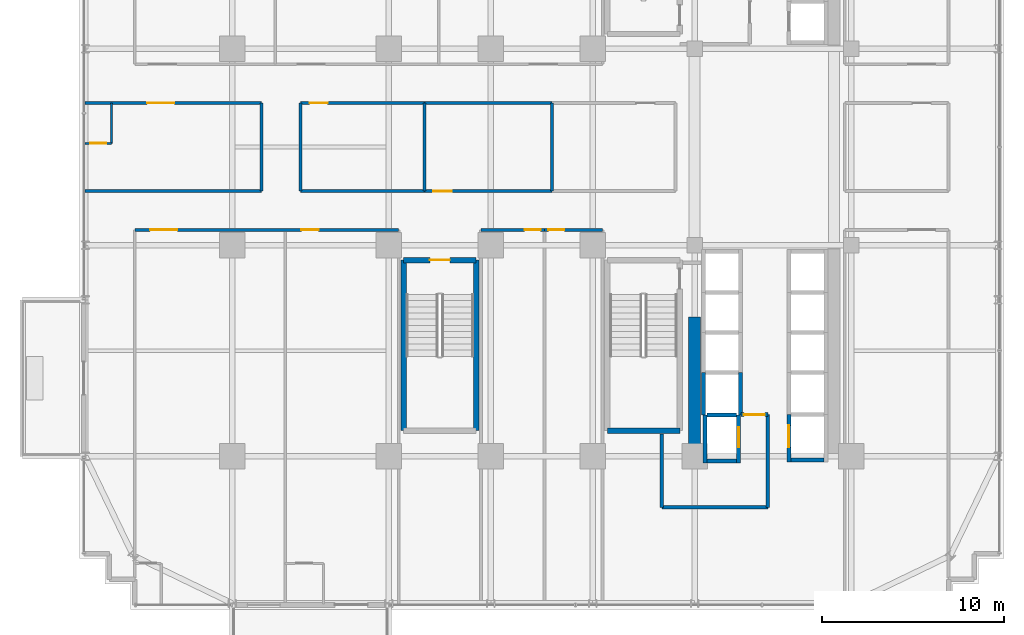
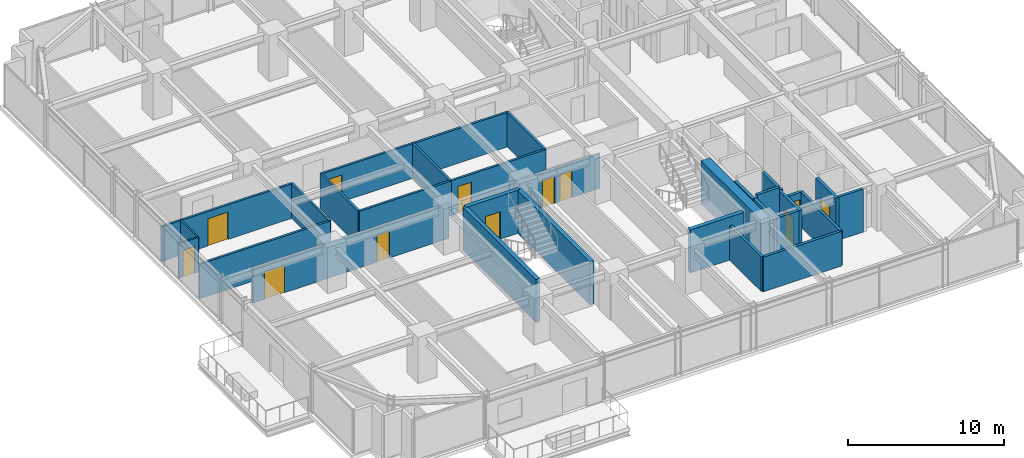
# One storey, part 31 of 37: 32 walls, 12 doors, 12 openings.
"""IFC4 building model written with IfcOpenShell, lengths in metres."""

from ifc_helpers import new_model, si_unit, direction, frame, frame_2d, origin, place, context, subcontext, project, spatial, rectangle, extrude, source, transform, mapped, material, layer, layer_set, type_object, element, fill, save


model = new_model("IFC4")

# Units and contexts
model_context = context("Model", 3, precision=1e-05, world=origin(), true_north=direction((0.0, 1.0)))
body_context = subcontext(model_context, "Body", "Model", "MODEL_VIEW")
ifc_project = project(units=[si_unit("LENGTHUNIT", "METRE"), si_unit("AREAUNIT", "SQUARE_METRE"), si_unit("VOLUMEUNIT", "CUBIC_METRE"), si_unit("PLANEANGLEUNIT", "RADIAN"), si_unit("MASSUNIT", "GRAM", prefix="KILO")], contexts=[model_context])

# Site, building, storey
site_placement = place(None, origin())
site = spatial("IfcSite", under=ifc_project, at=site_placement, CompositionType="ELEMENT")
building_placement = place(site_placement, origin())
building = spatial("IfcBuilding", under=site, at=building_placement, Name="Nahalor Promenade Grand Hotel", CompositionType="ELEMENT")
storey_placement = place(building_placement, frame((0.0, 0.0, 36.050048828125)))
storey = spatial("IfcBuildingStorey", under=building, at=storey_placement, Name="L07", CompositionType="ELEMENT", Elevation=36.050048828125)

# Walls
ifc_material_1 = material(Name="Concrete B-60 (C50/60)", Category="concrete")
ifc_layer_1 = layer(ifc_material_1, 0.64990234375)
ifc_layer_set_1 = layer_set([ifc_layer_1], Name="Concrete B-60 (C50/60)")
wall_type_1 = type_object("IfcWallType", Name="Wall-CoreShear-650", PredefinedType="SHEAR", material=ifc_layer_set_1)
shared_shape_1 = source(origin(), body_context, "Body", "SweptSolid", [
    extrude(rectangle(XDim=7.64990234375, YDim=0.64990234375, at=frame_2d((3.824951171875, 0.0))), origin(), (0.0, 0.0, 1.0), 3.369873046875),
])
wall_1_placement = place(storey_placement, frame((8.39990234375, -17.0, 0.0), z_axis=(0.0, 0.0, 1.0), x_axis=(0.0, 1.0, 0.0)))
element("IfcWall", 1, at=wall_1_placement, inside=storey, type_object=wall_type_1, Name="CWALL-L07-SW", PredefinedType="SHEAR", context=body_context, shape_type="MappedRepresentation", body=[
    mapped(shared_shape_1, transform((0.0, 0.0, 0.0), scale=1.0)),
])
ifc_material_2 = material(Name="Concrete B-50 (C40/50)", Category="concrete")
ifc_layer_2 = layer(ifc_material_2, 0.300048828125)
ifc_layer_set_2 = layer_set([ifc_layer_2], Name="Concrete B-50 (C40/50)")
wall_type_2 = type_object("IfcWallType", Name="Wall-ShaftShear-300", PredefinedType="SHEAR", material=ifc_layer_set_2)
shared_shape_2 = source(origin(), body_context, "Body", "SweptSolid", [
    extrude(rectangle(XDim=3.97998046875, YDim=0.300048828125, at=frame_2d((1.989990234375, 0.0))), origin(), (0.0, 0.0, 1.0), 3.369873046875),
])
wall_2_placement = place(storey_placement, frame((3.610107421875, -15.590087890625, 0.0), z_axis=(0.0, 0.0, 1.0), x_axis=(1.0, 0.0, 0.0)))
element("IfcWall", 2, at=wall_2_placement, inside=storey, type_object=wall_type_2, Name="L07 Exit Stair ST2 Shaft Wall S", PredefinedType="SHEAR", context=body_context, shape_type="MappedRepresentation", body=[
    mapped(shared_shape_2, transform((0.0, 0.0, 0.0), scale=1.0)),
])

# Wall, opening, door
wall_3_placement = place(storey_placement, frame((-7.590087890625, -6.2099609375, 0.0), z_axis=(0.0, 0.0, 1.0), x_axis=(1.0, 0.0, 0.0)))
wall_3 = element("IfcWall", 3, at=wall_3_placement, inside=storey, type_object=wall_type_2, Name="L07 Exit Stair ST3 Shaft Wall N", PredefinedType="SHEAR", context=body_context, shape_type="MappedRepresentation", body=[
    mapped(shared_shape_2, transform((0.0, 0.0, 0.0), scale=1.0)),
])
opening_1_placement = place(wall_3_placement, frame((1.43994140625, 0.0, 0.0)))
opening_1 = element("IfcOpeningElement", 4, at=opening_1_placement, cuts=wall_3, Name="Opening D-ST1", PredefinedType="OPENING", context=body_context, shape_type="SweptSolid", body=[
    extrude(rectangle(XDim=1.10009765625, YDim=2.14990234375, at=frame_2d((0.550048828125, 1.074951171875))), frame((0.0, 0.159912109375, 0.0), z_axis=(0.0, -1.0, 0.0), x_axis=(1.0, 0.0, 0.0)), (0.0, 0.0, 1.0), 0.320068359375),
])
ifc_material_3 = material(Name="Steel S355JR", Category="steel")
door_type_1 = type_object("IfcDoorType", Name="Door-StairFire-1100", OperationType="NOTDEFINED", PredefinedType="DOOR", material=ifc_material_3)
shared_shape_3 = source(origin(), body_context, "Body", "SweptSolid", [
    extrude(rectangle(XDim=1.10009765625, YDim=2.14990234375, at=frame_2d((0.550048828125, 1.074951171875))), frame((0.0, 0.02490234375, 0.0), z_axis=(0.0, -1.0, 0.0), x_axis=(1.0, 0.0, 0.0)), (0.0, 0.0, 1.0), 0.050048828125),
])
door_1_placement = place(opening_1_placement, frame((1.10009765625, 0.0, 0.0), z_axis=(0.0, 0.0, 1.0), x_axis=(-1.0, 0.0, 0.0)))
door_1 = element("IfcDoor", 5, at=door_1_placement, inside=storey, type_object=door_type_1, Name="DR-STAIR-ST3-L07", OperationType="SINGLE_SWING_RIGHT", OverallHeight=2.14990234375, OverallWidth=1.10009765625, PredefinedType="DOOR", context=body_context, shape_type="MappedRepresentation", body=[
    mapped(shared_shape_3, transform((0.0, 0.0, 0.0), scale=1.0)),
])
fill(opening_1, door_1)

# Walls
shared_shape_4 = source(origin(), body_context, "Body", "SweptSolid", [
    extrude(rectangle(XDim=9.380126953125, YDim=0.300048828125, at=frame_2d((4.68994140625, 0.0))), origin(), (0.0, 0.0, 1.0), 3.369873046875),
])
for number, where, z_axis, x_axis, name in (
    (6, (-7.590087890625, -15.590087890625, 0.0), (0.0, 0.0, 1.0), (0.0, 1.0, 0.0), "L07 Exit Stair ST3 Shaft Wall W"),
    (7, (-3.610107421875, -15.590087890625, 0.0), (0.0, 0.0, 1.0), (0.0, 1.0, 0.0), "L07 Exit Stair ST3 Shaft Wall E"),
):
    element("IfcWall", number, at=place(storey_placement, frame(where, z_axis=z_axis, x_axis=x_axis)), inside=storey, type_object=wall_type_2, Name=name, PredefinedType="SHEAR", context=body_context, shape_type="MappedRepresentation", body=[
        mapped(shared_shape_4, transform((0.0, 0.0, 0.0), scale=1.0)),
    ])
ifc_layer_3 = layer(ifc_material_2, 0.219970703125)
ifc_layer_set_3 = layer_set([ifc_layer_3], Name="Concrete B-50 (C40/50)")
wall_type_3 = type_object("IfcWallType", Name="Wall-LiftShaft-220", PredefinedType="SHEAR", material=ifc_layer_set_3)
shared_shape_5 = source(origin(), body_context, "Body", "SweptSolid", [
    extrude(rectangle(XDim=1.820068359375, YDim=0.219970703125, at=frame_2d((0.91015625, 0.0))), origin(), (0.0, 0.0, 1.0), 3.369873046875),
])
wall_4_placement = place(storey_placement, frame((13.68994140625, -17.199951171875, 0.0), z_axis=(0.0, 0.0, 1.0), x_axis=(1.0, 0.0, 0.0)))
element("IfcWall", 8, at=wall_4_placement, inside=storey, type_object=wall_type_3, Name="L07 Lift SV2 Hoistway Wall S", PredefinedType="SHEAR", context=body_context, shape_type="MappedRepresentation", body=[
    mapped(shared_shape_5, transform((0.0, 0.0, 0.0), scale=1.0)),
])
shared_shape_6 = source(origin(), body_context, "Body", "SweptSolid", [
    extrude(rectangle(XDim=2.3251953125, YDim=0.219970703125, at=frame_2d((1.16259765625, 0.0))), origin(), (0.0, 0.0, 1.0), 3.369873046875),
])
for number, where, z_axis, x_axis, name in (
    (9, (8.8798828125, -14.72509765625, 0.0), (0.0, 0.0, 1.0), (0.0, 1.0, 0.0), "L07 Lift PL12 Hoistway Wall W"),
    (10, (10.919921875, -14.72509765625, 0.0), (0.0, 0.0, 1.0), (0.0, 1.0, 0.0), "L07 Lift PL12 Hoistway Wall E"),
):
    element("IfcWall", number, at=place(storey_placement, frame(where, z_axis=z_axis, x_axis=x_axis)), inside=storey, type_object=wall_type_3, Name=name, PredefinedType="SHEAR", context=body_context, shape_type="MappedRepresentation", body=[
        mapped(shared_shape_6, transform((0.0, 0.0, 0.0), scale=1.0)),
    ])
shared_shape_7 = source(origin(), body_context, "Body", "SweptSolid", [
    extrude(rectangle(XDim=2.635009765625, YDim=0.219970703125, at=frame_2d((1.3173828125, 0.0))), origin(), (0.0, 0.0, 1.0), 3.369873046875),
])
wall_5_placement = place(storey_placement, frame((8.97998046875, -17.360107421875, 0.0), z_axis=(0.0, 0.0, 1.0), x_axis=(0.0, 1.0, 0.0)))
element("IfcWall", 11, at=wall_5_placement, inside=storey, type_object=wall_type_3, Name="L07 Lift FL2 Hoistway Wall W", PredefinedType="SHEAR", context=body_context, shape_type="MappedRepresentation", body=[
    mapped(shared_shape_7, transform((0.0, 0.0, 0.0), scale=1.0)),
])

# Wall, opening, door
wall_6_placement = place(storey_placement, frame((10.820068359375, -17.360107421875, 0.0), z_axis=(0.0, 0.0, 1.0), x_axis=(0.0, 1.0, 0.0)))
wall_6 = element("IfcWall", 12, at=wall_6_placement, inside=storey, type_object=wall_type_3, Name="L07 Lift FL2 Hoistway Wall E", PredefinedType="SHEAR", context=body_context, shape_type="MappedRepresentation", body=[
    mapped(shared_shape_7, transform((0.0, 0.0, 0.0), scale=1.0)),
])
opening_2_placement = place(wall_6_placement, frame((0.860107421875, 0.0, 0.0)))
opening_2 = element("IfcOpeningElement", 13, at=opening_2_placement, cuts=wall_6, Name="Opening LD-02", PredefinedType="OPENING", context=body_context, shape_type="SweptSolid", body=[
    extrude(rectangle(XDim=1.10009765625, YDim=2.199951171875, at=frame_2d((0.550048828125, 1.10009765625))), frame((0.0, 0.119873046875, 0.0), z_axis=(0.0, -1.0, 0.0), x_axis=(1.0, 0.0, 0.0)), (0.0, 0.0, 1.0), 0.239990234375),
])
door_type_2 = type_object("IfcDoorType", Name="Door-LiftFF-1100", OperationType="DOUBLE_DOOR_SLIDING", PredefinedType="DOOR", material=ifc_material_3)
shared_shape_8 = source(origin(), body_context, "Body", "SweptSolid", [
    extrude(rectangle(XDim=1.10009765625, YDim=2.199951171875, at=frame_2d((0.550048828125, 1.10009765625))), frame((0.0, 0.02490234375, 0.0), z_axis=(0.0, -1.0, 0.0), x_axis=(1.0, 0.0, 0.0)), (0.0, 0.0, 1.0), 0.050048828125),
])
door_2_placement = place(opening_2_placement, frame((1.10009765625, 0.0, 0.0), z_axis=(0.0, 0.0, 1.0), x_axis=(-1.0, 0.0, 0.0)))
door_2 = element("IfcDoor", 14, at=door_2_placement, inside=storey, type_object=door_type_2, Name="DR-LIFT-FL2-L07", OperationType="DOUBLE_DOOR_SLIDING", OverallHeight=2.199951171875, OverallWidth=1.10009765625, PredefinedType="DOOR", context=body_context, shape_type="MappedRepresentation", body=[
    mapped(shared_shape_8, transform((0.0, 0.0, 0.0), scale=1.0)),
])
fill(opening_2, door_2)

# Walls
shared_shape_9 = source(origin(), body_context, "Body", "SweptSolid", [
    extrude(rectangle(XDim=1.619873046875, YDim=0.219970703125, at=frame_2d((0.81005859375, 0.0))), origin(), (0.0, 0.0, 1.0), 3.369873046875),
])
wall_7_placement = place(storey_placement, frame((9.090087890625, -17.25, 0.0), z_axis=(0.0, 0.0, 1.0), x_axis=(1.0, 0.0, 0.0)))
element("IfcWall", 15, at=wall_7_placement, inside=storey, type_object=wall_type_3, Name="L07 Lift FL2 Hoistway Wall S", PredefinedType="SHEAR", context=body_context, shape_type="MappedRepresentation", body=[
    mapped(shared_shape_9, transform((0.0, 0.0, 0.0), scale=1.0)),
])
shared_shape_10 = source(origin(), body_context, "Body", "SweptSolid", [
    extrude(rectangle(XDim=1.619873046875, YDim=0.219970703125, at=frame_2d((0.81005859375, 0.0))), origin(), (0.0, 0.0, 1.0), 3.64990234375),
])
wall_8_placement = place(storey_placement, frame((9.090087890625, -14.72509765625, 0.0), z_axis=(0.0, 0.0, 1.0), x_axis=(1.0, 0.0, 0.0)))
element("IfcWall", 16, at=wall_8_placement, inside=storey, type_object=wall_type_3, Name="L07 Lift FL2 Hoistway Wall N", PredefinedType="SHEAR", context=body_context, shape_type="MappedRepresentation", body=[
    mapped(shared_shape_10, transform((0.0, 0.0, 0.0), scale=1.0)),
])

# Wall, opening, door
shared_shape_11 = source(origin(), body_context, "Body", "SweptSolid", [
    extrude(rectangle(XDim=2.610107421875, YDim=0.219970703125, at=frame_2d((1.30517578125, 0.0))), origin(), (0.0, 0.0, 1.0), 3.369873046875),
])
wall_9_placement = place(storey_placement, frame((13.580078125, -17.31005859375, 0.0), z_axis=(0.0, 0.0, 1.0), x_axis=(0.0, 1.0, 0.0)))
wall_9 = element("IfcWall", 17, at=wall_9_placement, inside=storey, type_object=wall_type_3, Name="L07 Lift SV2 Hoistway Wall W", PredefinedType="SHEAR", context=body_context, shape_type="MappedRepresentation", body=[
    mapped(shared_shape_11, transform((0.0, 0.0, 0.0), scale=1.0)),
])
opening_3_placement = place(wall_9_placement, frame((0.81005859375, 0.0, 0.0)))
opening_3 = element("IfcOpeningElement", 18, at=opening_3_placement, cuts=wall_9, Name="Opening LD-03", PredefinedType="OPENING", context=body_context, shape_type="SweptSolid", body=[
    extrude(rectangle(XDim=1.199951171875, YDim=2.199951171875, at=frame_2d((0.60009765625, 1.10009765625))), frame((0.0, 0.119873046875, 0.0), z_axis=(0.0, -1.0, 0.0), x_axis=(1.0, 0.0, 0.0)), (0.0, 0.0, 1.0), 0.239990234375),
])
door_type_3 = type_object("IfcDoorType", Name="Door-LiftService-1200", OperationType="DOUBLE_DOOR_SLIDING", PredefinedType="DOOR", material=ifc_material_3)
shared_shape_12 = source(origin(), body_context, "Body", "SweptSolid", [
    extrude(rectangle(XDim=1.199951171875, YDim=2.199951171875, at=frame_2d((0.60009765625, 1.10009765625))), frame((0.0, 0.02490234375, 0.0), z_axis=(0.0, -1.0, 0.0), x_axis=(1.0, 0.0, 0.0)), (0.0, 0.0, 1.0), 0.050048828125),
])
door_3_placement = place(opening_3_placement, origin())
door_3 = element("IfcDoor", 19, at=door_3_placement, inside=storey, type_object=door_type_3, Name="DR-LIFT-SV2-L07", OperationType="DOUBLE_DOOR_SLIDING", OverallHeight=2.199951171875, OverallWidth=1.199951171875, PredefinedType="DOOR", context=body_context, shape_type="MappedRepresentation", body=[
    mapped(shared_shape_12, transform((0.0, 0.0, 0.0), scale=1.0)),
])
fill(opening_3, door_3)

# Walls
ifc_material_4 = material(Name="Concrete B-40 (C32/40)", Category="concrete")
ifc_layer_4 = layer(ifc_material_4, 0.199951171875)
ifc_layer_set_4 = layer_set([ifc_layer_4], Name="Concrete B-40 (C32/40)")
wall_type_4 = type_object("IfcWallType", Name="Wall-PartFire-200", PredefinedType="PARTITIONING", material=ifc_layer_set_4)
shared_shape_13 = source(origin(), body_context, "Body", "SweptSolid", [
    extrude(rectangle(XDim=5.81982421875, YDim=0.199951171875, at=frame_2d((2.909912109375, 0.0))), origin(), (0.0, 0.0, 1.0), 2.7099609375),
])
wall_10_placement = place(storey_placement, frame((6.60009765625, -19.800048828125, 0.0), z_axis=(0.0, 0.0, 1.0), x_axis=(1.0, 0.0, 0.0)))
element("IfcWall", 20, at=wall_10_placement, inside=storey, type_object=wall_type_4, Name="W-L07-FF2-S1", PredefinedType="PARTITIONING", context=body_context, shape_type="MappedRepresentation", body=[
    mapped(shared_shape_13, transform((0.0, 0.0, 0.0), scale=1.0)),
])
shared_shape_14 = source(origin(), body_context, "Body", "SweptSolid", [
    extrude(rectangle(XDim=4.030029296875, YDim=0.199951171875, at=frame_2d((2.01513671875, 0.0))), origin(), (0.0, 0.0, 1.0), 2.7099609375),
])
wall_11_placement = place(storey_placement, frame((6.60009765625, -19.800048828125, 0.0), z_axis=(0.0, 0.0, 1.0), x_axis=(0.0, 1.0, 0.0)))
element("IfcWall", 21, at=wall_11_placement, inside=storey, type_object=wall_type_4, Name="W-L07-FF2-W1", PredefinedType="PARTITIONING", context=body_context, shape_type="MappedRepresentation", body=[
    mapped(shared_shape_14, transform((0.0, 0.0, 0.0), scale=1.0)),
])
shared_shape_15 = source(origin(), body_context, "Body", "SweptSolid", [
    extrude(rectangle(XDim=5.10009765625, YDim=0.199951171875, at=frame_2d((2.550048828125, 0.0))), origin(), (0.0, 0.0, 1.0), 2.7099609375),
])
wall_12_placement = place(storey_placement, frame((12.419921875, -19.800048828125, 0.0), z_axis=(0.0, 0.0, 1.0), x_axis=(0.0, 1.0, 0.0)))
element("IfcWall", 22, at=wall_12_placement, inside=storey, type_object=wall_type_4, Name="W-L07-FF2-E", PredefinedType="PARTITIONING", context=body_context, shape_type="MappedRepresentation", body=[
    mapped(shared_shape_15, transform((0.0, 0.0, 0.0), scale=1.0)),
])

# Wall, opening, door
shared_shape_16 = source(origin(), body_context, "Body", "SweptSolid", [
    extrude(rectangle(XDim=1.4599609375, YDim=0.199951171875, at=frame_2d((0.72998046875, 0.0))), origin(), (0.0, 0.0, 1.0), 2.7099609375),
])
wall_13_placement = place(storey_placement, frame((10.9599609375, -14.699951171875, 0.0), z_axis=(0.0, 0.0, 1.0), x_axis=(1.0, 0.0, 0.0)))
wall_13 = element("IfcWall", 23, at=wall_13_placement, inside=storey, type_object=wall_type_4, Name="W-L07-FF2-N1", PredefinedType="PARTITIONING", context=body_context, shape_type="MappedRepresentation", body=[
    mapped(shared_shape_16, transform((0.0, 0.0, 0.0), scale=1.0)),
])
opening_4_placement = place(wall_13_placement, frame((0.14501953125, 0.0, 0.0)))
opening_4 = element("IfcOpeningElement", 24, at=opening_4_placement, cuts=wall_13, Name="Opening D-FF1", PredefinedType="OPENING", context=body_context, shape_type="SweptSolid", body=[
    extrude(rectangle(XDim=1.14990234375, YDim=2.14990234375, at=frame_2d((0.574951171875, 1.074951171875))), frame((0.0, 0.10986328125, 0.0), z_axis=(0.0, -1.0, 0.0), x_axis=(1.0, 0.0, 0.0)), (0.0, 0.0, 1.0), 0.219970703125),
])
door_type_4 = type_object("IfcDoorType", Name="Door-FFLobby-1150", OperationType="NOTDEFINED", PredefinedType="DOOR", material=ifc_material_3)
shared_shape_17 = source(origin(), body_context, "Body", "SweptSolid", [
    extrude(rectangle(XDim=1.14990234375, YDim=2.14990234375, at=frame_2d((0.574951171875, 1.074951171875))), frame((0.0, 0.02490234375, 0.0), z_axis=(0.0, -1.0, 0.0), x_axis=(1.0, 0.0, 0.0)), (0.0, 0.0, 1.0), 0.050048828125),
])
door_4_placement = place(opening_4_placement, origin())
door_4 = element("IfcDoor", 25, at=door_4_placement, inside=storey, type_object=door_type_4, Name="DR-L07-FFL2", OperationType="SINGLE_SWING_LEFT", OverallHeight=2.14990234375, OverallWidth=1.14990234375, PredefinedType="DOOR", context=body_context, shape_type="MappedRepresentation", body=[
    mapped(shared_shape_17, transform((0.0, 0.0, 0.0), scale=1.0)),
])
fill(opening_4, door_4)

ifc_material_5 = material(Name="Acoustic Mineral Gypsum", Category="gypsum")
ifc_layer_5 = layer(ifc_material_5, 0.1201171875)
ifc_layer_set_5 = layer_set([ifc_layer_5], Name="Acoustic Mineral Gypsum")
wall_type_5 = type_object("IfcWallType", Name="Wall-PartBath-120", PredefinedType="PARTITIONING", material=ifc_layer_set_5)
shared_shape_18 = source(origin(), body_context, "Body", "SweptSolid", [
    extrude(rectangle(XDim=1.4501953125, YDim=0.1201171875, at=frame_2d((0.72509765625, 0.0))), origin(), (0.0, 0.0, 1.0), 2.7099609375),
])
wall_14_placement = place(storey_placement, frame((-25.10009765625, 0.199951171875, 0.0), z_axis=(0.0, 0.0, 1.0), x_axis=(1.0, 0.0, 0.0)))
wall_14 = element("IfcWall", 26, at=wall_14_placement, inside=storey, type_object=wall_type_5, Name="W-L07-W1-BH", PredefinedType="PARTITIONING", context=body_context, shape_type="MappedRepresentation", body=[
    mapped(shared_shape_18, transform((0.0, 0.0, 0.0), scale=1.0)),
])
opening_5_placement = place(wall_14_placement, frame((0.284912109375, 0.0, 0.0)))
opening_5 = element("IfcOpeningElement", 27, at=opening_5_placement, cuts=wall_14, Name="Opening D-03", PredefinedType="OPENING", context=body_context, shape_type="SweptSolid", body=[
    extrude(rectangle(XDim=0.8798828125, YDim=2.10009765625, at=frame_2d((0.43994140625, 1.050048828125))), frame((0.0, 0.070068359375, 0.0), z_axis=(0.0, -1.0, 0.0), x_axis=(1.0, 0.0, 0.0)), (0.0, 0.0, 1.0), 0.14013671875),
])
ifc_material_6 = material(Name="Fire-Rated Timber Composite", Category="wood")
door_type_5 = type_object("IfcDoorType", Name="Door-BathSwing-880", OperationType="NOTDEFINED", PredefinedType="DOOR", material=ifc_material_6)
shared_shape_19 = source(origin(), body_context, "Body", "SweptSolid", [
    extrude(rectangle(XDim=0.8798828125, YDim=2.10009765625, at=frame_2d((0.43994140625, 1.050048828125))), frame((0.0, 0.02490234375, 0.0), z_axis=(0.0, -1.0, 0.0), x_axis=(1.0, 0.0, 0.0)), (0.0, 0.0, 1.0), 0.050048828125),
])
door_5_placement = place(opening_5_placement, origin())
door_5 = element("IfcDoor", 28, at=door_5_placement, inside=storey, type_object=door_type_5, Name="DR-L07-W1-BATH", OperationType="SINGLE_SWING_LEFT", OverallHeight=2.10009765625, OverallWidth=0.8798828125, PredefinedType="DOOR", context=body_context, shape_type="MappedRepresentation", body=[
    mapped(shared_shape_19, transform((0.0, 0.0, 0.0), scale=1.0)),
])
fill(opening_5, door_5)

# Wall, openings, doors
ifc_layer_6 = layer(ifc_material_5, 0.159912109375)
ifc_layer_set_6 = layer_set([ifc_layer_6], Name="Acoustic Mineral Gypsum")
wall_type_6 = type_object("IfcWallType", Name="Wall-PartCorridor-160", PredefinedType="PARTITIONING", material=ifc_layer_set_6)
shared_shape_20 = source(origin(), body_context, "Body", "SweptSolid", [
    extrude(rectangle(XDim=14.5, YDim=0.159912109375, at=frame_2d((7.25, 0.0))), origin(), (0.0, 0.0, 1.0), 2.7099609375),
])
wall_15_placement = place(storey_placement, frame((-22.360107421875, -4.550048828125, 0.0), z_axis=(0.0, 0.0, 1.0), x_axis=(1.0, 0.0, 0.0)))
wall_15 = element("IfcWall", 29, at=wall_15_placement, inside=storey, type_object=wall_type_6, Name="W-L07-CORR-S", PredefinedType="PARTITIONING", context=body_context, shape_type="MappedRepresentation", body=[
    mapped(shared_shape_20, transform((0.0, 0.0, 0.0), scale=1.0)),
])
opening_6_placement = place(wall_15_placement, frame((0.8369140625, 0.0, 0.0)))
opening_6 = element("IfcOpeningElement", 30, at=opening_6_placement, cuts=wall_15, Name="Opening D-02", PredefinedType="OPENING", context=body_context, shape_type="SweptSolid", body=[
    extrude(rectangle(XDim=1.5, YDim=2.14990234375, at=frame_2d((0.75, 1.074951171875))), frame((0.0, 0.08984375, 0.0), z_axis=(0.0, -1.0, 0.0), x_axis=(1.0, 0.0, 0.0)), (0.0, 0.0, 1.0), 0.179931640625),
])
opening_7_placement = place(wall_15_placement, frame((9.152099609375, 0.0, 0.0)))
opening_7 = element("IfcOpeningElement", 31, at=opening_7_placement, cuts=wall_15, Name="Opening D-01", PredefinedType="OPENING", context=body_context, shape_type="SweptSolid", body=[
    extrude(rectangle(XDim=0.949951171875, YDim=2.10009765625, at=frame_2d((0.47509765625, 1.050048828125))), frame((0.0, 0.08984375, 0.0), z_axis=(0.0, -1.0, 0.0), x_axis=(1.0, 0.0, 0.0)), (0.0, 0.0, 1.0), 0.179931640625),
])
door_type_6 = type_object("IfcDoorType", Name="Door-SuiteDouble-1500", OperationType="DOUBLE_DOOR_SINGLE_SWING", PredefinedType="DOOR", material=ifc_material_6)
shared_shape_21 = source(origin(), body_context, "Body", "SweptSolid", [
    extrude(rectangle(XDim=1.5, YDim=2.14990234375, at=frame_2d((0.75, 1.074951171875))), frame((0.0, 0.02490234375, 0.0), z_axis=(0.0, -1.0, 0.0), x_axis=(1.0, 0.0, 0.0)), (0.0, 0.0, 1.0), 0.050048828125),
])
door_6_placement = place(opening_6_placement, frame((1.5, 0.0, 0.0), z_axis=(0.0, 0.0, 1.0), x_axis=(-1.0, 0.0, 0.0)))
door_6 = element("IfcDoor", 32, at=door_6_placement, inside=storey, type_object=door_type_6, Name="DR-L07-S1-ENT", OperationType="DOUBLE_DOOR_SINGLE_SWING", OverallHeight=2.14990234375, OverallWidth=1.5, PredefinedType="DOOR", context=body_context, shape_type="MappedRepresentation", body=[
    mapped(shared_shape_21, transform((0.0, 0.0, 0.0), scale=1.0)),
])
fill(opening_6, door_6)
door_type_7 = type_object("IfcDoorType", Name="Door-GuestEntry-950", OperationType="NOTDEFINED", PredefinedType="DOOR", material=ifc_material_6)
shared_shape_22 = source(origin(), body_context, "Body", "SweptSolid", [
    extrude(rectangle(XDim=0.949951171875, YDim=2.10009765625, at=frame_2d((0.47509765625, 1.050048828125))), frame((0.0, 0.02490234375, 0.0), z_axis=(0.0, -1.0, 0.0), x_axis=(1.0, 0.0, 0.0)), (0.0, 0.0, 1.0), 0.050048828125),
])
door_7_placement = place(opening_7_placement, frame((0.949951171875, 0.0, 0.0), z_axis=(0.0, 0.0, 1.0), x_axis=(-1.0, 0.0, 0.0)))
door_7 = element("IfcDoor", 33, at=door_7_placement, inside=storey, type_object=door_type_7, Name="DR-L07-S2-ENT", OperationType="SINGLE_SWING_RIGHT", OverallHeight=2.10009765625, OverallWidth=0.949951171875, PredefinedType="DOOR", context=body_context, shape_type="MappedRepresentation", body=[
    mapped(shared_shape_22, transform((0.0, 0.0, 0.0), scale=1.0)),
])
fill(opening_7, door_7)

# Wall, opening, door
shared_shape_23 = source(origin(), body_context, "Body", "SweptSolid", [
    extrude(rectangle(XDim=3.489990234375, YDim=0.159912109375, at=frame_2d((1.7451171875, 0.0))), origin(), (0.0, 0.0, 1.0), 2.7099609375),
])
wall_16_placement = place(storey_placement, frame((-3.340087890625, -4.550048828125, 0.0), z_axis=(0.0, 0.0, 1.0), x_axis=(1.0, 0.0, 0.0)))
wall_16 = element("IfcWall", 34, at=wall_16_placement, inside=storey, type_object=wall_type_6, Name="W-L07-SCB1-N", PredefinedType="PARTITIONING", context=body_context, shape_type="MappedRepresentation", body=[
    mapped(shared_shape_23, transform((0.0, 0.0, 0.0), scale=1.0)),
])
opening_8_placement = place(wall_16_placement, frame((2.39990234375, 0.0, 0.0)))
opening_8 = element("IfcOpeningElement", 35, at=opening_8_placement, cuts=wall_16, Name="Opening D-03", PredefinedType="OPENING", context=body_context, shape_type="SweptSolid", body=[
    extrude(rectangle(XDim=0.8798828125, YDim=2.10009765625, at=frame_2d((0.43994140625, 1.050048828125))), frame((0.0, 0.08984375, 0.0), z_axis=(0.0, -1.0, 0.0), x_axis=(1.0, 0.0, 0.0)), (0.0, 0.0, 1.0), 0.179931640625),
])
door_8_placement = place(opening_8_placement, frame((0.8798828125, 0.0, 0.0), z_axis=(0.0, 0.0, 1.0), x_axis=(-1.0, 0.0, 0.0)))
door_8 = element("IfcDoor", 36, at=door_8_placement, inside=storey, type_object=door_type_5, Name="DR-L07-SCB1", OperationType="SINGLE_SWING_LEFT", OverallHeight=2.10009765625, OverallWidth=0.8798828125, PredefinedType="DOOR", context=body_context, shape_type="MappedRepresentation", body=[
    mapped(shared_shape_19, transform((0.0, 0.0, 0.0), scale=1.0)),
])
fill(opening_8, door_8)

shared_shape_24 = source(origin(), body_context, "Body", "SweptSolid", [
    extrude(rectangle(XDim=3.190185546875, YDim=0.159912109375, at=frame_2d((1.59521484375, 0.0))), origin(), (0.0, 0.0, 1.0), 2.7099609375),
])
wall_17_placement = place(storey_placement, frame((0.14990234375, -4.550048828125, 0.0), z_axis=(0.0, 0.0, 1.0), x_axis=(1.0, 0.0, 0.0)))
wall_17 = element("IfcWall", 37, at=wall_17_placement, inside=storey, type_object=wall_type_6, Name="W-L07-SCB2-N", PredefinedType="PARTITIONING", context=body_context, shape_type="MappedRepresentation", body=[
    mapped(shared_shape_24, transform((0.0, 0.0, 0.0), scale=1.0)),
])
opening_9_placement = place(wall_17_placement, frame((0.2099609375, 0.0, 0.0)))
opening_9 = element("IfcOpeningElement", 38, at=opening_9_placement, cuts=wall_17, Name="Opening D-03", PredefinedType="OPENING", context=body_context, shape_type="SweptSolid", body=[
    extrude(rectangle(XDim=0.8798828125, YDim=2.10009765625, at=frame_2d((0.43994140625, 1.050048828125))), frame((0.0, 0.08984375, 0.0), z_axis=(0.0, -1.0, 0.0), x_axis=(1.0, 0.0, 0.0)), (0.0, 0.0, 1.0), 0.179931640625),
])
door_9_placement = place(opening_9_placement, frame((0.8798828125, 0.0, 0.0), z_axis=(0.0, 0.0, 1.0), x_axis=(-1.0, 0.0, 0.0)))
door_9 = element("IfcDoor", 39, at=door_9_placement, inside=storey, type_object=door_type_5, Name="DR-L07-SCB2", OperationType="SINGLE_SWING_RIGHT", OverallHeight=2.10009765625, OverallWidth=0.8798828125, PredefinedType="DOOR", context=body_context, shape_type="MappedRepresentation", body=[
    mapped(shared_shape_19, transform((0.0, 0.0, 0.0), scale=1.0)),
])
fill(opening_9, door_9)

shared_shape_25 = source(origin(), body_context, "Body", "SweptSolid", [
    extrude(rectangle(XDim=9.7001953125, YDim=0.159912109375, at=frame_2d((4.85009765625, 0.0))), origin(), (0.0, 0.0, 1.0), 2.7099609375),
])
wall_18_placement = place(storey_placement, frame((-25.10009765625, 2.419921875, 0.0), z_axis=(0.0, 0.0, 1.0), x_axis=(1.0, 0.0, 0.0)))
wall_18 = element("IfcWall", 40, at=wall_18_placement, inside=storey, type_object=wall_type_6, Name="W-L07-WEST-N", PredefinedType="PARTITIONING", context=body_context, shape_type="MappedRepresentation", body=[
    mapped(shared_shape_25, transform((0.0, 0.0, 0.0), scale=1.0)),
])
opening_10_placement = place(wall_18_placement, frame((3.409912109375, 0.0, 0.0)))
opening_10 = element("IfcOpeningElement", 41, at=opening_10_placement, cuts=wall_18, Name="Opening D-02", PredefinedType="OPENING", context=body_context, shape_type="SweptSolid", body=[
    extrude(rectangle(XDim=1.5, YDim=2.14990234375, at=frame_2d((0.75, 1.074951171875))), frame((0.0, 0.08984375, 0.0), z_axis=(0.0, -1.0, 0.0), x_axis=(1.0, 0.0, 0.0)), (0.0, 0.0, 1.0), 0.179931640625),
])
door_10_placement = place(opening_10_placement, origin())
door_10 = element("IfcDoor", 42, at=door_10_placement, inside=storey, type_object=door_type_6, Name="DR-L07-W1-ENT", OperationType="DOUBLE_DOOR_SINGLE_SWING", OverallHeight=2.14990234375, OverallWidth=1.5, PredefinedType="DOOR", context=body_context, shape_type="MappedRepresentation", body=[
    mapped(shared_shape_21, transform((0.0, 0.0, 0.0), scale=1.0)),
])
fill(opening_10, door_10)

# Walls
wall_19_placement = place(storey_placement, frame((-25.10009765625, -2.419921875, 0.0), z_axis=(0.0, 0.0, 1.0), x_axis=(1.0, 0.0, 0.0)))
element("IfcWall", 43, at=wall_19_placement, inside=storey, type_object=wall_type_6, Name="W-L07-WEST-S", PredefinedType="PARTITIONING", context=body_context, shape_type="MappedRepresentation", body=[
    mapped(shared_shape_25, transform((0.0, 0.0, 0.0), scale=1.0)),
])
shared_shape_26 = source(origin(), body_context, "Body", "SweptSolid", [
    extrude(rectangle(XDim=4.83984375, YDim=0.159912109375, at=frame_2d((2.419921875, 0.0))), origin(), (0.0, 0.0, 1.0), 2.7099609375),
])
for number, where, z_axis, x_axis, name in (
    (44, (-15.39990234375, -2.419921875, 0.0), (0.0, 0.0, 1.0), (0.0, 1.0, 0.0), "W-L07-WEST-E"),
    (45, (-13.25, -2.419921875, 0.0), (0.0, 0.0, 1.0), (0.0, 1.0, 0.0), "W-L07-CM1-W"),
    (46, (-6.451904296875, -2.419921875, 0.0), (0.0, 0.0, 1.0), (0.0, 1.0, 0.0), "W-L07-CM1-E"),
    (47, (0.552001953125, -2.419921875, 0.0), (0.0, 0.0, 1.0), (0.0, 1.0, 0.0), "W-L07-CM2-E"),
):
    element("IfcWall", number, at=place(storey_placement, frame(where, z_axis=z_axis, x_axis=x_axis)), inside=storey, type_object=wall_type_6, Name=name, PredefinedType="PARTITIONING", context=body_context, shape_type="MappedRepresentation", body=[
        mapped(shared_shape_26, transform((0.0, 0.0, 0.0), scale=1.0)),
    ])
shared_shape_27 = source(origin(), body_context, "Body", "SweptSolid", [
    extrude(rectangle(XDim=2.219970703125, YDim=0.1201171875, at=frame_2d((1.10986328125, 0.0))), origin(), (0.0, 0.0, 1.0), 2.7099609375),
])
wall_20_placement = place(storey_placement, frame((-23.64990234375, 0.199951171875, 0.0), z_axis=(0.0, 0.0, 1.0), x_axis=(0.0, 1.0, 0.0)))
element("IfcWall", 48, at=wall_20_placement, inside=storey, type_object=wall_type_5, Name="W-L07-W1-BV", PredefinedType="PARTITIONING", context=body_context, shape_type="MappedRepresentation", body=[
    mapped(shared_shape_27, transform((0.0, 0.0, 0.0), scale=1.0)),
])
shared_shape_28 = source(origin(), body_context, "Body", "SweptSolid", [
    extrude(rectangle(XDim=6.798095703125, YDim=0.159912109375, at=frame_2d((3.39892578125, 0.0))), origin(), (0.0, 0.0, 1.0), 2.7099609375),
])
wall_21_placement = place(storey_placement, frame((-13.25, -2.419921875, 0.0), z_axis=(0.0, 0.0, 1.0), x_axis=(1.0, 0.0, 0.0)))
element("IfcWall", 49, at=wall_21_placement, inside=storey, type_object=wall_type_6, Name="W-L07-CM1-S", PredefinedType="PARTITIONING", context=body_context, shape_type="MappedRepresentation", body=[
    mapped(shared_shape_28, transform((0.0, 0.0, 0.0), scale=1.0)),
])

# Wall, opening, door
wall_22_placement = place(storey_placement, frame((-13.25, 2.419921875, 0.0), z_axis=(0.0, 0.0, 1.0), x_axis=(1.0, 0.0, 0.0)))
wall_22 = element("IfcWall", 50, at=wall_22_placement, inside=storey, type_object=wall_type_6, Name="W-L07-CM1-N", PredefinedType="PARTITIONING", context=body_context, shape_type="MappedRepresentation", body=[
    mapped(shared_shape_28, transform((0.0, 0.0, 0.0), scale=1.0)),
])
opening_11_placement = place(wall_22_placement, frame((0.489990234375, 0.0, 0.0)))
opening_11 = element("IfcOpeningElement", 51, at=opening_11_placement, cuts=wall_22, Name="Opening D-04", PredefinedType="OPENING", context=body_context, shape_type="SweptSolid", body=[
    extrude(rectangle(XDim=1.0, YDim=2.10009765625, at=frame_2d((0.5, 1.050048828125))), frame((0.0, 0.08984375, 0.0), z_axis=(0.0, -1.0, 0.0), x_axis=(1.0, 0.0, 0.0)), (0.0, 0.0, 1.0), 0.179931640625),
])
door_type_8 = type_object("IfcDoorType", Name="Door-ServiceFire-1000", OperationType="NOTDEFINED", PredefinedType="DOOR", material=ifc_material_3)
shared_shape_29 = source(origin(), body_context, "Body", "SweptSolid", [
    extrude(rectangle(XDim=1.0, YDim=2.10009765625, at=frame_2d((0.5, 1.050048828125))), frame((0.0, 0.02490234375, 0.0), z_axis=(0.0, -1.0, 0.0), x_axis=(1.0, 0.0, 0.0)), (0.0, 0.0, 1.0), 0.050048828125),
])
door_11_placement = place(opening_11_placement, frame((1.0, 0.0, 0.0), z_axis=(0.0, 0.0, 1.0), x_axis=(-1.0, 0.0, 0.0)))
door_11 = element("IfcDoor", 52, at=door_11_placement, inside=storey, type_object=door_type_8, Name="DR-L07-CM1", OperationType="SINGLE_SWING_RIGHT", OverallHeight=2.10009765625, OverallWidth=1.0, PredefinedType="DOOR", context=body_context, shape_type="MappedRepresentation", body=[
    mapped(shared_shape_29, transform((0.0, 0.0, 0.0), scale=1.0)),
])
fill(opening_11, door_11)

shared_shape_30 = source(origin(), body_context, "Body", "SweptSolid", [
    extrude(rectangle(XDim=7.00390625, YDim=0.159912109375, at=frame_2d((3.501953125, 0.0))), origin(), (0.0, 0.0, 1.0), 2.7099609375),
])
wall_23_placement = place(storey_placement, frame((-6.451904296875, -2.419921875, 0.0), z_axis=(0.0, 0.0, 1.0), x_axis=(1.0, 0.0, 0.0)))
wall_23 = element("IfcWall", 53, at=wall_23_placement, inside=storey, type_object=wall_type_6, Name="W-L07-CM2-S", PredefinedType="PARTITIONING", context=body_context, shape_type="MappedRepresentation", body=[
    mapped(shared_shape_30, transform((0.0, 0.0, 0.0), scale=1.0)),
])
opening_12_placement = place(wall_23_placement, frame((0.493896484375, 0.0, 0.0)))
opening_12 = element("IfcOpeningElement", 54, at=opening_12_placement, cuts=wall_23, Name="Opening D-04", PredefinedType="OPENING", context=body_context, shape_type="SweptSolid", body=[
    extrude(rectangle(XDim=1.0, YDim=2.10009765625, at=frame_2d((0.5, 1.050048828125))), frame((0.0, 0.08984375, 0.0), z_axis=(0.0, -1.0, 0.0), x_axis=(1.0, 0.0, 0.0)), (0.0, 0.0, 1.0), 0.179931640625),
])
door_12_placement = place(opening_12_placement, origin())
door_12 = element("IfcDoor", 55, at=door_12_placement, inside=storey, type_object=door_type_8, Name="DR-L07-CM2", OperationType="SINGLE_SWING_LEFT", OverallHeight=2.10009765625, OverallWidth=1.0, PredefinedType="DOOR", context=body_context, shape_type="MappedRepresentation", body=[
    mapped(shared_shape_29, transform((0.0, 0.0, 0.0), scale=1.0)),
])
fill(opening_12, door_12)

# Wall
wall_24_placement = place(storey_placement, frame((-6.451904296875, 2.419921875, 0.0), z_axis=(0.0, 0.0, 1.0), x_axis=(1.0, 0.0, 0.0)))
element("IfcWall", 56, at=wall_24_placement, inside=storey, type_object=wall_type_6, Name="W-L07-CM2-N", PredefinedType="PARTITIONING", context=body_context, shape_type="MappedRepresentation", body=[
    mapped(shared_shape_30, transform((0.0, 0.0, 0.0), scale=1.0)),
])

save(model, "model.ifc")
